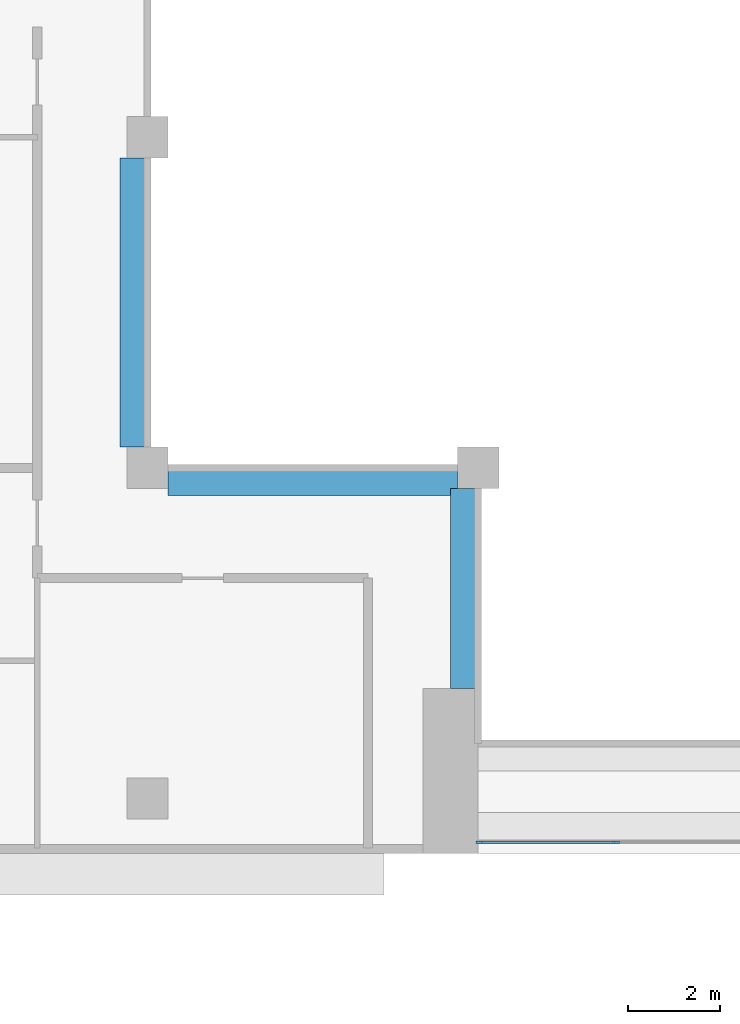
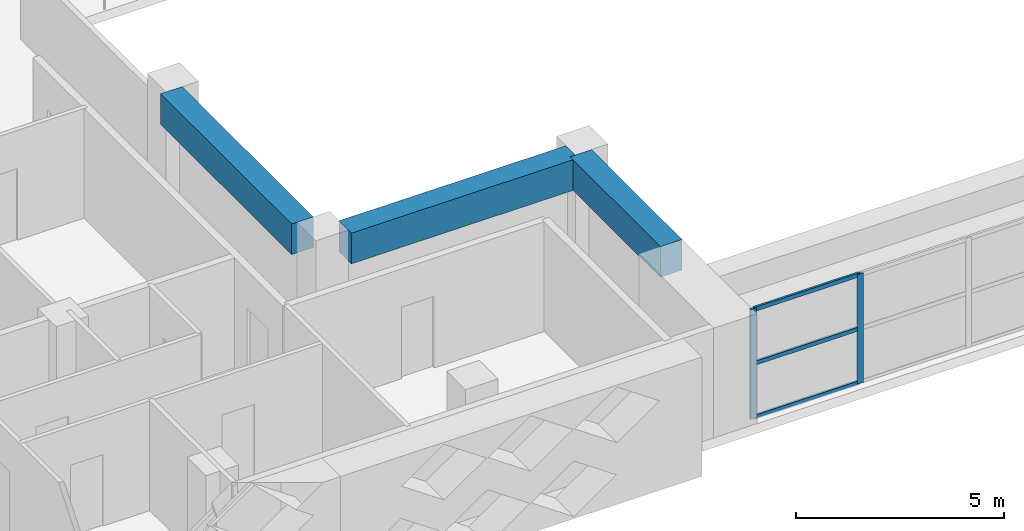
# One storey, part 2 of 19: 5 members, 3 beams, 1 element without a shape of its own.
"""IFC4 building model written with IfcOpenShell, lengths in metres."""

from ifc_helpers import new_model, si_unit, direction, frame, origin, origin_2d, place, context, subcontext, project, spatial, rectangle, extrude, source, transform, mapped, material, layer, layer_set, material_profile, profile_set, type_object, element, aggregate, save


model = new_model("IFC4")

# Units and contexts
model_context = context("Model", 3, precision=1e-05, world=origin(), true_north=direction((0.0, 1.0)))
body_context = subcontext(model_context, "Body", "Model", "MODEL_VIEW")
ifc_project = project(units=[si_unit("LENGTHUNIT", "METRE"), si_unit("AREAUNIT", "SQUARE_METRE"), si_unit("VOLUMEUNIT", "CUBIC_METRE"), si_unit("PLANEANGLEUNIT", "RADIAN"), si_unit("MASSUNIT", "GRAM", prefix="KILO")], contexts=[model_context])

# Site, building, storey
site_placement = place(None, origin())
site = spatial("IfcSite", under=ifc_project, at=site_placement, CompositionType="ELEMENT")
building_placement = place(site_placement, origin())
building = spatial("IfcBuilding", under=site, at=building_placement, Name="Saffron Iwan Residences", CompositionType="ELEMENT")
storey_placement = place(building_placement, frame((0.0, 0.0, 229.0)))
storey = spatial("IfcBuildingStorey", under=building, at=storey_placement, Name="L61", CompositionType="ELEMENT", Elevation=229.0)

# Beams
ifc_material_1 = material(Name="Concrete C40/50", Category="concrete")
ifc_material_profile_1 = material_profile(ifc_material_1, rectangle(XDim=0.60009765625, YDim=0.89990234375, at=origin_2d()), Name="RC 600x900")
ifc_profile_set_1 = profile_set([ifc_material_profile_1], Name="Concrete C40/50")
beam_type = type_object("IfcBeamType", Name="BEAM RC 600x900 C40/50 TOP 3220", PredefinedType="BEAM", material=ifc_profile_set_1)
shared_shape_1 = source(origin(), body_context, "Body", "SweptSolid", [
    extrude(rectangle(XDim=0.60009765625, YDim=0.89990234375, at=origin_2d()), origin(), (0.0, 0.0, 1.0), 4.35009765625),
])
beam_placement = place(storey_placement, frame((42.89990234375, 43.199951171875, 2.77001953125), z_axis=(0.0, 1.0, 0.0), x_axis=(-1.0, 0.0, 0.0)))
element("IfcBeam", 1, at=beam_placement, inside=storey, type_object=beam_type, Name="Atrium edge beam", PredefinedType="BEAM", context=body_context, shape_type="MappedRepresentation", body=[
    mapped(shared_shape_1, transform((0.0, 0.0, 0.0))),
])
shared_shape_2 = source(origin(), body_context, "Body", "SweptSolid", [
    extrude(rectangle(XDim=0.60009765625, YDim=0.89990234375, at=origin_2d()), origin(), (0.0, 0.0, 1.0), 6.300048828125),
])
for number, where, z_axis, x_axis, name in (
    (2, (42.75, 47.699951171875, 2.77001953125), (-1.0, 0.0, 0.0), (0.0, -1.0, 0.0), "Atrium edge beam"),
    (3, (35.699951171875, 48.449951171875, 2.77001953125), (0.0, 1.0, 0.0), (-1.0, 0.0, 0.0), "Atrium edge beam"),
):
    element("IfcBeam", number, at=place(storey_placement, frame(where, z_axis=z_axis, x_axis=x_axis)), inside=storey, type_object=beam_type, Name=name, PredefinedType="BEAM", context=body_context, shape_type="MappedRepresentation", body=[
        mapped(shared_shape_2, transform((0.0, 0.0, 0.0))),
    ])

# Curtain wall, members
ifc_material_2 = material(Name="Clear glass, laminated double glazed", Category="glass")
ifc_layer = layer(ifc_material_2, 0.199951171875)
ifc_layer_set = layer_set([ifc_layer], Name="Clear glass, laminated double glazed")
curtain_wall_type = type_object("IfcCurtainWallType", Name="CW-B IWAN PORTAL", PredefinedType="NOTDEFINED", material=ifc_layer_set)
curtain_wall_placement = place(storey_placement, origin())
curtain_wall = element("IfcCurtainWall", 4, at=curtain_wall_placement, inside=storey, type_object=curtain_wall_type, Name="Iwan portal glazing L61.1", PredefinedType="NOTDEFINED")
ifc_material_3 = material(Name="Aluminium 6063-T6", Category="aluminium")
ifc_material_profile_2 = material_profile(ifc_material_3, rectangle(XDim=0.06005859375, YDim=0.1201171875, at=origin_2d()), Name="CW-B TRANSOM 60 x 120")
ifc_profile_set_2 = profile_set([ifc_material_profile_2], Name="Aluminium 6063-T6")
member_type_1 = type_object("IfcMemberType", Name="CW-B TRANSOM 60 x 120", PredefinedType="USERDEFINED", material=ifc_profile_set_2)
shared_shape_3 = source(origin(), body_context, "Body", "SweptSolid", [
    extrude(rectangle(XDim=0.06005859375, YDim=0.1201171875, at=origin_2d()), origin(), (0.0, 0.0, 1.0), 2.909912109375),
])
member_1_placement = place(storey_placement, frame((43.260009765625, 39.85009765625, 0.030029296875), z_axis=(1.0, 0.0, 0.0), x_axis=(0.0, 1.0, 0.0)))
member_1 = element("IfcMember", 5, at=member_1_placement, type_object=member_type_1, Name="CW-B transom 1.1", ObjectType="TRANSOM", PredefinedType="USERDEFINED", context=body_context, shape_type="MappedRepresentation", body=[
    mapped(shared_shape_3, transform((0.0, 0.0, 0.0))),
])
member_2_placement = place(storey_placement, frame((43.260009765625, 39.85009765625, 1.610107421875), z_axis=(1.0, 0.0, 0.0), x_axis=(0.0, 1.0, 0.0)))
member_2 = element("IfcMember", 6, at=member_2_placement, type_object=member_type_1, Name="CW-B transom 1.2", ObjectType="TRANSOM", PredefinedType="USERDEFINED", context=body_context, shape_type="MappedRepresentation", body=[
    mapped(shared_shape_3, transform((0.0, 0.0, 0.0))),
])
member_3_placement = place(storey_placement, frame((43.260009765625, 39.85009765625, 3.18994140625), z_axis=(1.0, 0.0, 0.0), x_axis=(0.0, 1.0, 0.0)))
member_3 = element("IfcMember", 7, at=member_3_placement, type_object=member_type_1, Name="CW-B transom 1.3", ObjectType="TRANSOM", PredefinedType="USERDEFINED", context=body_context, shape_type="MappedRepresentation", body=[
    mapped(shared_shape_3, transform((0.0, 0.0, 0.0))),
])
ifc_material_profile_3 = material_profile(ifc_material_3, rectangle(XDim=0.06005859375, YDim=0.159912109375, at=origin_2d()), Name="CW-B MULLION 60 x 160")
ifc_profile_set_3 = profile_set([ifc_material_profile_3], Name="Aluminium 6063-T6")
member_type_2 = type_object("IfcMemberType", Name="CW-B MULLION 60 x 160", PredefinedType="MULLION", material=ifc_profile_set_3)
shared_shape_4 = source(origin(), body_context, "Body", "SweptSolid", [
    extrude(rectangle(XDim=0.06005859375, YDim=0.159912109375, at=origin_2d()), origin(), (0.0, 0.0, 1.0), 3.219970703125),
])
member_4_placement = place(storey_placement, frame((43.22998046875, 39.85009765625, 0.0), z_axis=(0.0, 0.0, 1.0), x_axis=(0.0, 1.0, 0.0)))
member_4 = element("IfcMember", 8, at=member_4_placement, type_object=member_type_2, Name="CW-B mullion 1", PredefinedType="MULLION", context=body_context, shape_type="MappedRepresentation", body=[
    mapped(shared_shape_4, transform((0.0, 0.0, 0.0))),
])
member_5_placement = place(storey_placement, frame((46.199951171875, 39.85009765625, 0.0), z_axis=(0.0, 0.0, 1.0), x_axis=(0.0, 1.0, 0.0)))
member_5 = element("IfcMember", 9, at=member_5_placement, type_object=member_type_2, Name="CW-B mullion 2", PredefinedType="MULLION", context=body_context, shape_type="MappedRepresentation", body=[
    mapped(shared_shape_4, transform((0.0, 0.0, 0.0))),
])
aggregate(curtain_wall, [member_4, member_5, member_1, member_2, member_3])

save(model, "model.ifc")
